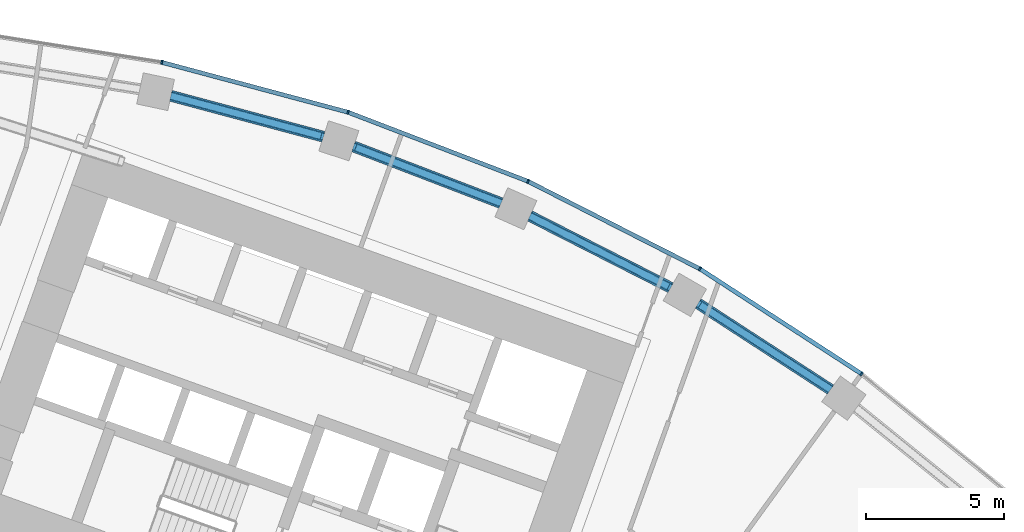
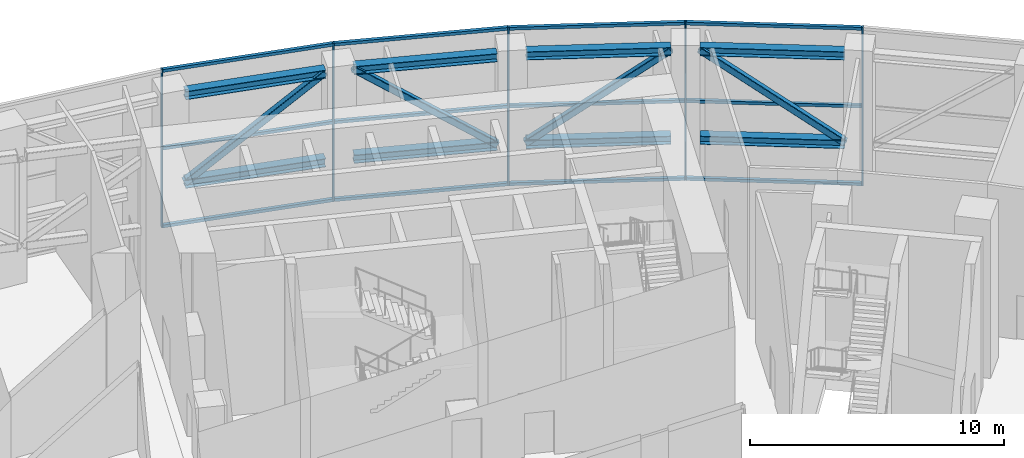
# One storey, part 12 of 30: 29 members, 1 element without a shape of its own.
"""IFC4 building model written with IfcOpenShell, lengths in metres."""

from ifc_helpers import new_model, si_unit, direction, frame, origin, origin_2d, place, context, subcontext, project, spatial, rectangle, hollow_rectangle, i_section, extrude, material, layer, layer_set, material_profile, profile_set, type_object, element, aggregate, save


model = new_model("IFC4")

# Units and contexts
model_context = context("Model", 3, precision=1e-05, world=origin(), true_north=direction((0.0, 1.0)))
body_context = subcontext(model_context, "Body", "Model", "MODEL_VIEW")
ifc_project = project(units=[si_unit("LENGTHUNIT", "METRE"), si_unit("AREAUNIT", "SQUARE_METRE"), si_unit("VOLUMEUNIT", "CUBIC_METRE"), si_unit("PLANEANGLEUNIT", "RADIAN"), si_unit("MASSUNIT", "GRAM", prefix="KILO")], contexts=[model_context])

# Site, building, storey
site_placement = place(None, origin())
site = spatial("IfcSite", under=ifc_project, at=site_placement, CompositionType="ELEMENT")
building_placement = place(site_placement, origin())
building = spatial("IfcBuilding", under=site, at=building_placement, Name="Stone Belt Terrace Tower", CompositionType="ELEMENT")
storey_placement = place(building_placement, frame((0.0, 0.0, 136.39990234375)))
storey = spatial("IfcBuildingStorey", under=building, at=storey_placement, Name="L33", CompositionType="ELEMENT", Elevation=136.39990234375)

# Members
ifc_material_1 = material(Name="Structural steel C345", Category="steel")
ifc_material_profile_1 = material_profile(ifc_material_1, i_section(OverallWidth=0.39990234375, OverallDepth=0.39990234375, WebThickness=0.012939453125, FlangeThickness=0.02099609375, at=origin_2d()), Name="I 40K2")
ifc_profile_set_1 = profile_set([ifc_material_profile_1], Name="Structural steel C345")
member_type_1 = type_object("IfcMemberType", Name="Belt chord I 40K2", PredefinedType="CHORD", material=ifc_profile_set_1)
for number, where, z_axis, x_axis, name in (
    (1, (14.172119140625, 63.90869140625, 7.050048828125), (0.965925885985, -0.258818822313, 0.0), (0.258818822313, 0.965925885985, 0.0), "Belt truss T2 ring R top chord 10"),
    (2, (14.172119140625, 63.90869140625, 2.800048828125), (0.965925885985, -0.258818822313, 0.0), (0.258818822313, 0.965925885985, 0.0), "Belt truss T2 ring R bot chord 10"),
):
    element("IfcMember", number, at=place(storey_placement, frame(where, z_axis=z_axis, x_axis=x_axis)), inside=storey, type_object=member_type_1, Name=name, PredefinedType="CHORD", context=body_context, shape_type="SweptSolid", body=[
        extrude(i_section(OverallWidth=0.39990234375, OverallDepth=0.39990234375, WebThickness=0.012939453125, FlangeThickness=0.02099609375, at=origin_2d()), origin(), (0.0, 0.0, 1.0), 5.703125),
    ])
for number, where, z_axis, x_axis, name in (
    (3, (20.774658203125, 62.077392578125, 7.050048828125), (0.933575997296, -0.358379487797, 0.0), (0.358379487797, 0.933575997296, 0.0), "Belt truss T2 ring R top chord 11"),
    (4, (20.774658203125, 62.077392578125, 2.800048828125), (0.933575997296, -0.358379487797, 0.0), (0.358379487797, 0.933575997296, 0.0), "Belt truss T2 ring R bot chord 11"),
):
    element("IfcMember", number, at=place(storey_placement, frame(where, z_axis=z_axis, x_axis=x_axis)), inside=storey, type_object=member_type_1, Name=name, PredefinedType="CHORD", context=body_context, shape_type="SweptSolid", body=[
        extrude(i_section(OverallWidth=0.39990234375, OverallDepth=0.39990234375, WebThickness=0.012939453125, FlangeThickness=0.02099609375, at=origin_2d()), origin(), (0.0, 0.0, 1.0), 5.703369140625),
    ])
for number, where, z_axis, x_axis, name in (
    (5, (27.14990234375, 59.565673828125, 7.050048828125), (0.890993756873, -0.454015556135, 0.0), (0.454015556135, 0.890993756873, 0.0), "Belt truss T2 ring R top chord 12"),
    (6, (27.14990234375, 59.565673828125, 2.800048828125), (0.890993756873, -0.454015556135, 0.0), (0.454015556135, 0.890993756873, 0.0), "Belt truss T2 ring R bot chord 12"),
):
    element("IfcMember", number, at=place(storey_placement, frame(where, z_axis=z_axis, x_axis=x_axis)), inside=storey, type_object=member_type_1, Name=name, PredefinedType="CHORD", context=body_context, shape_type="SweptSolid", body=[
        extrude(i_section(OverallWidth=0.39990234375, OverallDepth=0.39990234375, WebThickness=0.012939453125, FlangeThickness=0.02099609375, at=origin_2d()), origin(), (0.0, 0.0, 1.0), 5.703125),
    ])
for number, where, z_axis, x_axis, name in (
    (7, (33.227294921875, 56.4013671875, 7.050048828125), (0.838674352732, -0.544633206911, 0.0), (0.544633206911, 0.838674352732, 0.0), "Belt truss T2 ring R top chord 13"),
    (8, (33.227294921875, 56.4013671875, 2.800048828125), (0.838674352732, -0.544633206911, 0.0), (0.544633206911, 0.838674352732, 0.0), "Belt truss T2 ring R bot chord 13"),
):
    element("IfcMember", number, at=place(storey_placement, frame(where, z_axis=z_axis, x_axis=x_axis)), inside=storey, type_object=member_type_1, Name=name, PredefinedType="CHORD", context=body_context, shape_type="SweptSolid", body=[
        extrude(i_section(OverallWidth=0.39990234375, OverallDepth=0.39990234375, WebThickness=0.012939453125, FlangeThickness=0.02099609375, at=origin_2d()), origin(), (0.0, 0.0, 1.0), 5.703369140625),
    ])
ifc_material_profile_2 = material_profile(ifc_material_1, hollow_rectangle(XDim=0.300048828125, YDim=0.300048828125, WallThickness=0.01611328125, InnerFilletRadius=0.031982421875, OuterFilletRadius=0.048095703125, at=origin_2d()), Name="SHS 300x300x16")
ifc_profile_set_2 = profile_set([ifc_material_profile_2], Name="Structural steel C345")
member_type_2 = type_object("IfcMemberType", Name="Belt diagonal SHS 300x300x16", PredefinedType="BRACE", material=ifc_profile_set_2)
member_1_placement = place(storey_placement, frame((14.172119140625, 63.90869140625, 2.800048828125), z_axis=(0.774519158239, -0.207531591505, 0.597537205576), x_axis=(0.258818822313, 0.965925885985, 0.0)))
element("IfcMember", 9, at=member_1_placement, inside=storey, type_object=member_type_2, Name="Belt truss T2 ring R diagonal 10", PredefinedType="BRACE", context=body_context, shape_type="SweptSolid", body=[
    extrude(hollow_rectangle(XDim=0.300048828125, YDim=0.300048828125, WallThickness=0.01611328125, InnerFilletRadius=0.031982421875, OuterFilletRadius=0.048095703125, at=origin_2d()), origin(), (0.0, 0.0, 1.0), 7.112548828125),
])
member_2_placement = place(storey_placement, frame((20.774658203125, 62.077392578125, 7.050048828125), z_axis=(0.748588171332, -0.287366691292, -0.597525007407), x_axis=(0.358379487797, 0.933575997296, 0.0)))
element("IfcMember", 10, at=member_2_placement, inside=storey, type_object=member_type_2, Name="Belt truss T2 ring R diagonal 11", PredefinedType="BRACE", context=body_context, shape_type="SweptSolid", body=[
    extrude(hollow_rectangle(XDim=0.300048828125, YDim=0.300048828125, WallThickness=0.01611328125, InnerFilletRadius=0.031982421875, OuterFilletRadius=0.048095703125, at=origin_2d()), origin(), (0.0, 0.0, 1.0), 7.11279296875),
])
for number, where, z_axis, x_axis, name in (
    (11, (27.14990234375, 59.565673828125, 2.800048828125), (0.714440544086, -0.364050946986, 0.597529595054), (0.454015556135, 0.890993756873, 0.0), "Belt truss T2 ring R diagonal 12"),
    (12, (33.227294921875, 56.4013671875, 7.050048828125), (0.672490893603, -0.436714048556, -0.597525595949), (0.544633206911, 0.838674352732, 0.0), "Belt truss T2 ring R diagonal 13"),
):
    element("IfcMember", number, at=place(storey_placement, frame(where, z_axis=z_axis, x_axis=x_axis)), inside=storey, type_object=member_type_2, Name=name, PredefinedType="BRACE", context=body_context, shape_type="SweptSolid", body=[
        extrude(hollow_rectangle(XDim=0.300048828125, YDim=0.300048828125, WallThickness=0.01611328125, InnerFilletRadius=0.031982421875, OuterFilletRadius=0.048095703125, at=origin_2d()), origin(), (0.0, 0.0, 1.0), 7.112548828125),
    ])

# Curtain wall, members
ifc_material_2 = material(Name="Aluminium 6063-T6 anodised frame", Category="aluminium")
ifc_layer = layer(ifc_material_2, 0.14990234375)
ifc_layer_set = layer_set([ifc_layer], Name="CW-A unitised convex-face curtain wall")
curtain_wall_type = type_object("IfcCurtainWallType", Name="CW-A unitised convex-face curtain wall", PredefinedType="NOTDEFINED", material=ifc_layer_set)
curtain_wall_placement = place(storey_placement, origin())
curtain_wall = element("IfcCurtainWall", 13, at=curtain_wall_placement, inside=storey, type_object=curtain_wall_type, Name="CW-A convex face L33", PredefinedType="NOTDEFINED")
ifc_material_profile_3 = material_profile(ifc_material_2, rectangle(XDim=0.14990234375, YDim=0.06005859375, at=origin_2d()), Name="Aluminium 6063-T6 60x150")
ifc_profile_set_3 = profile_set([ifc_material_profile_3], Name="Aluminium 6063-T6 anodised frame")
member_type_3 = type_object("IfcMemberType", Name="CW-A mullion 60 x 150", PredefinedType="MULLION", material=ifc_profile_set_3)
member_3_placement = place(storey_placement, frame((39.1318359375, 53.8603515625, 0.0), z_axis=(0.0, 0.0, 1.0), x_axis=(-0.587785252292, -0.809016994375, 0.0)))
member_3 = element("IfcMember", 14, at=member_3_placement, type_object=member_type_3, Name="CW-A mullion 4", PredefinedType="MULLION", context=body_context, shape_type="SweptSolid", body=[
    extrude(rectangle(XDim=0.14990234375, YDim=0.06005859375, at=origin_2d()), origin(), (0.0, 0.0, 1.0), 7.60009765625),
])
member_4_placement = place(storey_placement, frame((33.28759765625, 57.65576171875, 0.0), z_axis=(0.0, 0.0, 1.0), x_axis=(-0.5, -0.866025403784, 0.0)))
member_4 = element("IfcMember", 15, at=member_4_placement, type_object=member_type_3, Name="CW-A mullion 5", PredefinedType="MULLION", context=body_context, shape_type="SweptSolid", body=[
    extrude(rectangle(XDim=0.14990234375, YDim=0.06005859375, at=origin_2d()), origin(), (0.0, 0.0, 1.0), 7.60009765625),
])
member_5_placement = place(storey_placement, frame((27.07861328125, 60.8193359375, 0.0), z_axis=(0.0, 0.0, 1.0), x_axis=(-0.406736643076, -0.913545457643, 0.0)))
member_5 = element("IfcMember", 16, at=member_5_placement, type_object=member_type_3, Name="CW-A mullion 6", PredefinedType="MULLION", context=body_context, shape_type="SweptSolid", body=[
    extrude(rectangle(XDim=0.14990234375, YDim=0.06005859375, at=origin_2d()), origin(), (0.0, 0.0, 1.0), 7.60009765625),
])
member_6_placement = place(storey_placement, frame((20.57275390625, 63.316650390625, 0.0), z_axis=(0.0, 0.0, 1.0), x_axis=(-0.309016994375, -0.951056516295, 0.0)))
member_6 = element("IfcMember", 17, at=member_6_placement, type_object=member_type_3, Name="CW-A mullion 7", PredefinedType="MULLION", context=body_context, shape_type="SweptSolid", body=[
    extrude(rectangle(XDim=0.14990234375, YDim=0.06005859375, at=origin_2d()), origin(), (0.0, 0.0, 1.0), 7.60009765625),
])
member_7_placement = place(storey_placement, frame((13.841796875, 65.120361328125, 0.0), z_axis=(0.0, 0.0, 1.0), x_axis=(-0.207911690818, -0.978147600734, 0.0)))
member_7 = element("IfcMember", 18, at=member_7_placement, type_object=member_type_3, Name="CW-A mullion 8", PredefinedType="MULLION", context=body_context, shape_type="SweptSolid", body=[
    extrude(rectangle(XDim=0.14990234375, YDim=0.06005859375, at=origin_2d()), origin(), (0.0, 0.0, 1.0), 7.60009765625),
])
ifc_material_profile_4 = material_profile(ifc_material_2, rectangle(XDim=0.14990234375, YDim=0.139892578125, at=origin_2d()), Name="Aluminium 6063-T6 150x140")
ifc_profile_set_4 = profile_set([ifc_material_profile_4], Name="Aluminium 6063-T6 anodised frame")
member_type_4 = type_object("IfcMemberType", Name="CW-A transom 140 x 150", PredefinedType="USERDEFINED", material=ifc_profile_set_4)
member_8_placement = place(storey_placement, frame((39.103515625, 53.87890625, 0.070068359375), z_axis=(-0.83868440714, 0.544617723931, 0.0), x_axis=(-0.544617723931, -0.83868440714, 0.0)))
member_8 = element("IfcMember", 19, at=member_8_placement, type_object=member_type_4, Name="CW-A transom 4.1", ObjectType="TRANSOM", PredefinedType="USERDEFINED", context=body_context, shape_type="SweptSolid", body=[
    extrude(rectangle(XDim=0.14990234375, YDim=0.139892578125, at=origin_2d()), origin(), (0.0, 0.0, 1.0), 6.90087890625),
])
member_9_placement = place(storey_placement, frame((39.103515625, 53.87890625, 3.800048828125), z_axis=(-0.83868440714, 0.544617723931, 0.0), x_axis=(-0.544617723931, -0.83868440714, 0.0)))
member_9 = element("IfcMember", 20, at=member_9_placement, type_object=member_type_4, Name="CW-A transom 4.2", ObjectType="TRANSOM", PredefinedType="USERDEFINED", context=body_context, shape_type="SweptSolid", body=[
    extrude(rectangle(XDim=0.14990234375, YDim=0.139892578125, at=origin_2d()), origin(), (0.0, 0.0, 1.0), 6.90087890625),
])
member_10_placement = place(storey_placement, frame((39.103515625, 53.87890625, 7.530029296875), z_axis=(-0.83868440714, 0.544617723931, 0.0), x_axis=(-0.544617723931, -0.83868440714, 0.0)))
member_10 = element("IfcMember", 21, at=member_10_placement, type_object=member_type_4, Name="CW-A transom 4.3", ObjectType="TRANSOM", PredefinedType="USERDEFINED", context=body_context, shape_type="SweptSolid", body=[
    extrude(rectangle(XDim=0.14990234375, YDim=0.139892578125, at=origin_2d()), origin(), (0.0, 0.0, 1.0), 6.90087890625),
])
member_11_placement = place(storey_placement, frame((33.25732421875, 57.671142578125, 0.070068359375), z_axis=(-0.891012226264, 0.453979308613, 0.0), x_axis=(-0.453979308613, -0.891012226264, 0.0)))
member_11 = element("IfcMember", 22, at=member_11_placement, type_object=member_type_4, Name="CW-A transom 5.1", ObjectType="TRANSOM", PredefinedType="USERDEFINED", context=body_context, shape_type="SweptSolid", body=[
    extrude(rectangle(XDim=0.14990234375, YDim=0.139892578125, at=origin_2d()), origin(), (0.0, 0.0, 1.0), 6.90087890625),
])
member_12_placement = place(storey_placement, frame((33.25732421875, 57.671142578125, 3.800048828125), z_axis=(-0.891012226264, 0.453979308613, 0.0), x_axis=(-0.453979308613, -0.891012226264, 0.0)))
member_12 = element("IfcMember", 23, at=member_12_placement, type_object=member_type_4, Name="CW-A transom 5.2", ObjectType="TRANSOM", PredefinedType="USERDEFINED", context=body_context, shape_type="SweptSolid", body=[
    extrude(rectangle(XDim=0.14990234375, YDim=0.139892578125, at=origin_2d()), origin(), (0.0, 0.0, 1.0), 6.90087890625),
])
member_13_placement = place(storey_placement, frame((33.25732421875, 57.671142578125, 7.530029296875), z_axis=(-0.891012226264, 0.453979308613, 0.0), x_axis=(-0.453979308613, -0.891012226264, 0.0)))
member_13 = element("IfcMember", 24, at=member_13_placement, type_object=member_type_4, Name="CW-A transom 5.3", ObjectType="TRANSOM", PredefinedType="USERDEFINED", context=body_context, shape_type="SweptSolid", body=[
    extrude(rectangle(XDim=0.14990234375, YDim=0.139892578125, at=origin_2d()), origin(), (0.0, 0.0, 1.0), 6.90087890625),
])
member_14_placement = place(storey_placement, frame((27.046875, 60.83154296875, 0.070068359375), z_axis=(-0.933585210269, 0.358355487146, 0.0), x_axis=(-0.358355487146, -0.933585210269, 0.0)))
member_14 = element("IfcMember", 25, at=member_14_placement, type_object=member_type_4, Name="CW-A transom 6.1", ObjectType="TRANSOM", PredefinedType="USERDEFINED", context=body_context, shape_type="SweptSolid", body=[
    extrude(rectangle(XDim=0.14990234375, YDim=0.139892578125, at=origin_2d()), origin(), (0.0, 0.0, 1.0), 6.900634765625),
])
member_15_placement = place(storey_placement, frame((27.046875, 60.83154296875, 3.800048828125), z_axis=(-0.933585210269, 0.358355487146, 0.0), x_axis=(-0.358355487146, -0.933585210269, 0.0)))
member_15 = element("IfcMember", 26, at=member_15_placement, type_object=member_type_4, Name="CW-A transom 6.2", ObjectType="TRANSOM", PredefinedType="USERDEFINED", context=body_context, shape_type="SweptSolid", body=[
    extrude(rectangle(XDim=0.14990234375, YDim=0.139892578125, at=origin_2d()), origin(), (0.0, 0.0, 1.0), 6.900634765625),
])
member_16_placement = place(storey_placement, frame((27.046875, 60.83154296875, 7.530029296875), z_axis=(-0.933585210269, 0.358355487146, 0.0), x_axis=(-0.358355487146, -0.933585210269, 0.0)))
member_16 = element("IfcMember", 27, at=member_16_placement, type_object=member_type_4, Name="CW-A transom 6.3", ObjectType="TRANSOM", PredefinedType="USERDEFINED", context=body_context, shape_type="SweptSolid", body=[
    extrude(rectangle(XDim=0.14990234375, YDim=0.139892578125, at=origin_2d()), origin(), (0.0, 0.0, 1.0), 6.900634765625),
])
member_17_placement = place(storey_placement, frame((20.5400390625, 63.325439453125, 0.070068359375), z_axis=(-0.965921835863, 0.258833937117, 0.0), x_axis=(-0.258833937117, -0.965921835863, 0.0)))
member_17 = element("IfcMember", 28, at=member_17_placement, type_object=member_type_4, Name="CW-A transom 7.1", ObjectType="TRANSOM", PredefinedType="USERDEFINED", context=body_context, shape_type="SweptSolid", body=[
    extrude(rectangle(XDim=0.14990234375, YDim=0.139892578125, at=origin_2d()), origin(), (0.0, 0.0, 1.0), 6.900634765625),
])
member_18_placement = place(storey_placement, frame((20.5400390625, 63.325439453125, 3.800048828125), z_axis=(-0.965921835863, 0.258833937117, 0.0), x_axis=(-0.258833937117, -0.965921835863, 0.0)))
member_18 = element("IfcMember", 29, at=member_18_placement, type_object=member_type_4, Name="CW-A transom 7.2", ObjectType="TRANSOM", PredefinedType="USERDEFINED", context=body_context, shape_type="SweptSolid", body=[
    extrude(rectangle(XDim=0.14990234375, YDim=0.139892578125, at=origin_2d()), origin(), (0.0, 0.0, 1.0), 6.900634765625),
])
member_19_placement = place(storey_placement, frame((20.5400390625, 63.325439453125, 7.530029296875), z_axis=(-0.965921835863, 0.258833937117, 0.0), x_axis=(-0.258833937117, -0.965921835863, 0.0)))
member_19 = element("IfcMember", 30, at=member_19_placement, type_object=member_type_4, Name="CW-A transom 7.3", ObjectType="TRANSOM", PredefinedType="USERDEFINED", context=body_context, shape_type="SweptSolid", body=[
    extrude(rectangle(XDim=0.14990234375, YDim=0.139892578125, at=origin_2d()), origin(), (0.0, 0.0, 1.0), 6.900634765625),
])
aggregate(curtain_wall, [member_3, member_4, member_5, member_6, member_7, member_8, member_9, member_10, member_11, member_12, member_13, member_14, member_15, member_16, member_17, member_18, member_19])

save(model, "model.ifc")
